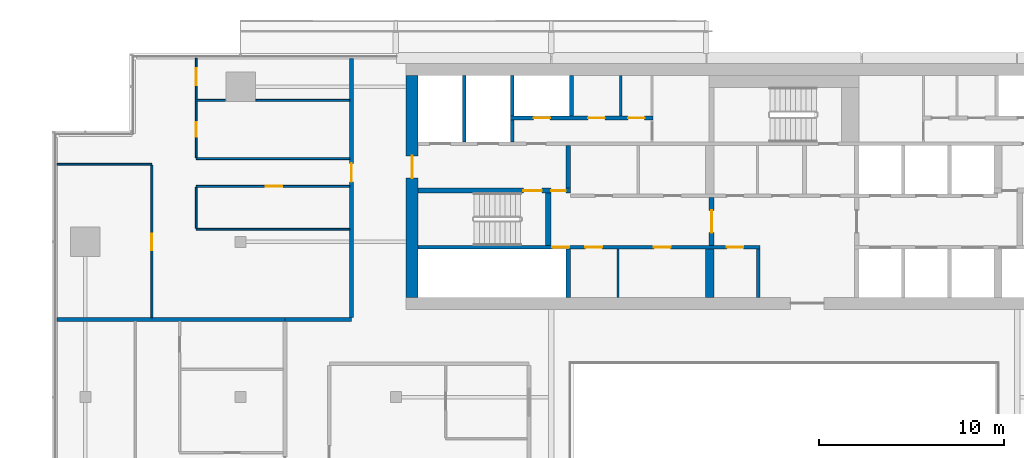
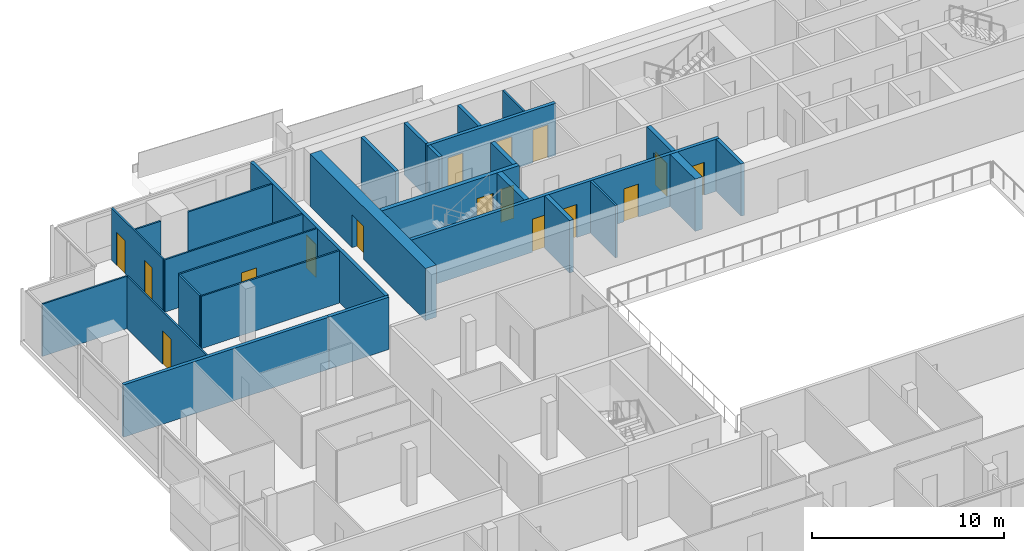
# One storey, part 20 of 27: 28 walls, 16 doors, 16 openings.
"""IFC4 building model written with IfcOpenShell, lengths in metres."""

from ifc_helpers import new_model, si_unit, direction, frame, frame_2d, origin, place, context, subcontext, project, spatial, rectangle, extrude, material, layer, layer_set, type_object, element, fill, save


model = new_model("IFC4")

# Units and contexts
model_context = context("Model", 3, precision=1e-05, world=origin(), true_north=direction((0.0, 1.0)))
body_context = subcontext(model_context, "Body", "Model", "MODEL_VIEW")
ifc_project = project(units=[si_unit("LENGTHUNIT", "METRE"), si_unit("AREAUNIT", "SQUARE_METRE"), si_unit("VOLUMEUNIT", "CUBIC_METRE"), si_unit("PLANEANGLEUNIT", "RADIAN"), si_unit("MASSUNIT", "GRAM", prefix="KILO")], contexts=[model_context])

# Site, building, storey
site_placement = place(None, origin())
site = spatial("IfcSite", under=ifc_project, at=site_placement, CompositionType="ELEMENT")
building_placement = place(site_placement, origin())
building = spatial("IfcBuilding", under=site, at=building_placement, Name="Saffron Gate Tower", CompositionType="ELEMENT")
storey_placement = place(building_placement, frame((0.0, 0.0, 234.300048828125)))
storey = spatial("IfcBuildingStorey", under=building, at=storey_placement, Name="L57", CompositionType="ELEMENT", Elevation=234.300048828125)

# Walls
ifc_material_1 = material(Name="Gypsum board partition on steel studs", Category="steel")
ifc_layer_1 = layer(ifc_material_1, 0.199951171875)
ifc_layer_set_1 = layer_set([ifc_layer_1], Name="CW10 Core partition 200")
wall_type_1 = type_object("IfcWallType", Name="CW10 Core partition 200", PredefinedType="PARTITIONING", material=ifc_layer_set_1)
wall_1_placement = place(storey_placement, frame((86.199951171875, 62.39990234375, 0.0), z_axis=(0.0, 0.0, 1.0), x_axis=(0.0, 1.0, 0.0)))
element("IfcWall", 1, at=wall_1_placement, inside=storey, type_object=wall_type_1, Name="Wall CW10-L57-8", PredefinedType="PARTITIONING", context=body_context, shape_type="SweptSolid", body=[
    extrude(rectangle(XDim=2.60009765625, YDim=0.199951171875, at=frame_2d((1.300048828125, 0.0))), origin(), (0.0, 0.0, 1.0), 3.320068359375),
])
ifc_material_2 = material(Name="Concrete C60", Category="concrete")
ifc_layer_2 = layer(ifc_material_2, 0.25)
ifc_layer_set_2 = layer_set([ifc_layer_2], Name="CW14 RC core wall 250 C60")
wall_type_2 = type_object("IfcWallType", Name="CW14 RC core wall 250 C60", PredefinedType="SOLIDWALL", material=ifc_layer_set_2)
wall_2_placement = place(storey_placement, frame((75.925048828125, 62.39990234375, 0.0), z_axis=(0.0, 0.0, 1.0), x_axis=(0.0, 1.0, 0.0)))
element("IfcWall", 2, at=wall_2_placement, inside=storey, type_object=wall_type_2, Name="Wall CW14-L57-5", PredefinedType="SOLIDWALL", context=body_context, shape_type="SweptSolid", body=[
    extrude(rectangle(XDim=2.60009765625, YDim=0.25, at=frame_2d((1.300048828125, 0.0))), origin(), (0.0, 0.0, 1.0), 3.320068359375),
])

# Wall, opening, door
wall_3_placement = place(storey_placement, frame((83.675048828125, 65.199951171875, 0.0), z_axis=(0.0, 0.0, 1.0), x_axis=(0.0, 1.0, 0.0)))
wall_3 = element("IfcWall", 3, at=wall_3_placement, inside=storey, type_object=wall_type_2, Name="Wall CW14-L57-16", PredefinedType="SOLIDWALL", context=body_context, shape_type="SweptSolid", body=[
    extrude(rectangle(XDim=2.60009765625, YDim=0.25, at=frame_2d((1.300048828125, 0.0))), origin(), (0.0, 0.0, 1.0), 3.320068359375),
])
opening_1_placement = place(wall_3_placement, frame((0.699951171875, 0.0, 0.0)))
opening_1 = element("IfcOpeningElement", 4, at=opening_1_placement, cuts=wall_3, Name="Opening CR-07", PredefinedType="OPENING", context=body_context, shape_type="SweptSolid", body=[
    extrude(rectangle(XDim=1.199951171875, YDim=2.10009765625, at=frame_2d((0.60009765625, 1.050048828125))), frame((0.0, 0.135009765625, 0.0), z_axis=(0.0, -1.0, 0.0), x_axis=(1.0, 0.0, 0.0)), (0.0, 0.0, 1.0), 0.27001953125),
])
ifc_material_3 = material(Name="Steel fire door set", Category="steel")
door_type_1 = type_object("IfcDoorType", Name="CD3 Lobby door 1200x2100 EI 120", OperationType="NOTDEFINED", PredefinedType="DOOR", material=ifc_material_3)
door_1_placement = place(opening_1_placement, origin())
door_1 = element("IfcDoor", 5, at=door_1_placement, inside=storey, type_object=door_type_1, Name="DOOR CR-07", OperationType="SINGLE_SWING_RIGHT", OverallHeight=2.10009765625, OverallWidth=1.199951171875, PredefinedType="DOOR", context=body_context, shape_type="SweptSolid", body=[
    extrude(rectangle(XDim=1.199951171875, YDim=2.10009765625, at=frame_2d((0.60009765625, 1.050048828125))), frame((0.0, 0.02490234375, 0.0), z_axis=(0.0, -1.0, 0.0), x_axis=(1.0, 0.0, 0.0)), (0.0, 0.0, 1.0), 0.050048828125),
])
fill(opening_1, door_1)

# Wall, openings, doors
wall_4_placement = place(storey_placement, frame((67.800048828125, 68.175048828125, 0.0), z_axis=(0.0, 0.0, 1.0), x_axis=(1.0, 0.0, 0.0)))
wall_4 = element("IfcWall", 6, at=wall_4_placement, inside=storey, type_object=wall_type_2, Name="Wall CW14-L57-28", PredefinedType="SOLIDWALL", context=body_context, shape_type="SweptSolid", body=[
    extrude(rectangle(XDim=8.25, YDim=0.25, at=frame_2d((4.125, 0.0))), origin(), (0.0, 0.0, 1.0), 3.320068359375),
])
opening_2_placement = place(wall_4_placement, frame((5.699951171875, 0.0, 0.0)))
opening_2 = element("IfcOpeningElement", 7, at=opening_2_placement, cuts=wall_4, Name="Opening CR-15", PredefinedType="OPENING", context=body_context, shape_type="SweptSolid", body=[
    extrude(rectangle(XDim=1.0, YDim=2.10009765625, at=frame_2d((0.5, 1.050048828125))), frame((0.0, 0.135009765625, 0.0), z_axis=(0.0, -1.0, 0.0), x_axis=(1.0, 0.0, 0.0)), (0.0, 0.0, 1.0), 0.27001953125),
])
opening_3_placement = place(wall_4_placement, frame((7.199951171875, 0.0, 0.0)))
opening_3 = element("IfcOpeningElement", 8, at=opening_3_placement, cuts=wall_4, Name="Opening CR-06", PredefinedType="OPENING", context=body_context, shape_type="SweptSolid", body=[
    extrude(rectangle(XDim=0.800048828125, YDim=2.10009765625, at=frame_2d((0.39990234375, 1.050048828125))), frame((0.0, 0.135009765625, 0.0), z_axis=(0.0, -1.0, 0.0), x_axis=(1.0, 0.0, 0.0)), (0.0, 0.0, 1.0), 0.27001953125),
])
door_type_2 = type_object("IfcDoorType", Name="CD5 Stair door 1000x2100 EI 120", OperationType="NOTDEFINED", PredefinedType="DOOR", material=ifc_material_3)
door_2_placement = place(opening_2_placement, origin())
door_2 = element("IfcDoor", 9, at=door_2_placement, inside=storey, type_object=door_type_2, Name="DOOR CR-15", OperationType="SINGLE_SWING_RIGHT", OverallHeight=2.10009765625, OverallWidth=1.0, PredefinedType="DOOR", context=body_context, shape_type="SweptSolid", body=[
    extrude(rectangle(XDim=1.0, YDim=2.10009765625, at=frame_2d((0.5, 1.050048828125))), frame((0.0, 0.02490234375, 0.0), z_axis=(0.0, -1.0, 0.0), x_axis=(1.0, 0.0, 0.0)), (0.0, 0.0, 1.0), 0.050048828125),
])
fill(opening_2, door_2)
door_type_3 = type_object("IfcDoorType", Name="CD6 Lobby door 800x2100 EI 120", OperationType="NOTDEFINED", PredefinedType="DOOR", material=ifc_material_3)
door_3_placement = place(opening_3_placement, origin())
door_3 = element("IfcDoor", 10, at=door_3_placement, inside=storey, type_object=door_type_3, Name="DOOR CR-06", OperationType="SINGLE_SWING_LEFT", OverallHeight=2.10009765625, OverallWidth=0.800048828125, PredefinedType="DOOR", context=body_context, shape_type="SweptSolid", body=[
    extrude(rectangle(XDim=0.800048828125, YDim=2.10009765625, at=frame_2d((0.39990234375, 1.050048828125))), frame((0.0, 0.02490234375, 0.0), z_axis=(0.0, -1.0, 0.0), x_axis=(1.0, 0.0, 0.0)), (0.0, 0.0, 1.0), 0.050048828125),
])
fill(opening_3, door_3)

# Wall
wall_5_placement = place(storey_placement, frame((75.925048828125, 68.300048828125, 0.0), z_axis=(0.0, 0.0, 1.0), x_axis=(0.0, 1.0, 0.0)))
element("IfcWall", 11, at=wall_5_placement, inside=storey, type_object=wall_type_2, Name="Wall CW14-L57-30", PredefinedType="SOLIDWALL", context=body_context, shape_type="SweptSolid", body=[
    extrude(rectangle(XDim=2.300048828125, YDim=0.25, at=frame_2d((1.14990234375, 0.0))), origin(), (0.0, 0.0, 1.0), 3.320068359375),
])

# Wall, openings, doors
ifc_layer_3 = layer(ifc_material_2, 0.199951171875)
ifc_layer_set_3 = layer_set([ifc_layer_3], Name="CW15 RC core wall 200 C60")
wall_type_3 = type_object("IfcWallType", Name="CW15 RC core wall 200 C60", PredefinedType="SOLIDWALL", material=ifc_layer_set_3)
wall_6_placement = place(storey_placement, frame((67.800048828125, 65.10009765625, 0.0), z_axis=(0.0, 0.0, 1.0), x_axis=(1.0, 0.0, 0.0)))
wall_6 = element("IfcWall", 12, at=wall_6_placement, inside=storey, type_object=wall_type_3, Name="Wall CW15-L57-13", PredefinedType="SOLIDWALL", context=body_context, shape_type="SweptSolid", body=[
    extrude(rectangle(XDim=18.5, YDim=0.199951171875, at=frame_2d((9.25, 0.0))), origin(), (0.0, 0.0, 1.0), 3.320068359375),
])
opening_4_placement = place(wall_6_placement, frame((7.27001953125, 0.0, 0.0)))
opening_4 = element("IfcOpeningElement", 13, at=opening_4_placement, cuts=wall_6, Name="Opening CR-49", PredefinedType="OPENING", context=body_context, shape_type="SweptSolid", body=[
    extrude(rectangle(XDim=0.89990234375, YDim=2.10009765625, at=frame_2d((0.449951171875, 1.050048828125))), frame((0.0, 0.10986328125, 0.0), z_axis=(0.0, -1.0, 0.0), x_axis=(1.0, 0.0, 0.0)), (0.0, 0.0, 1.0), 0.219970703125),
])
opening_5_placement = place(wall_6_placement, frame((9.050048828125, 0.0, 0.0)))
opening_5 = element("IfcOpeningElement", 14, at=opening_5_placement, cuts=wall_6, Name="Opening CR-64", PredefinedType="OPENING", context=body_context, shape_type="SweptSolid", body=[
    extrude(rectangle(XDim=0.89990234375, YDim=2.10009765625, at=frame_2d((0.449951171875, 1.050048828125))), frame((0.0, 0.10986328125, 0.0), z_axis=(0.0, -1.0, 0.0), x_axis=(1.0, 0.0, 0.0)), (0.0, 0.0, 1.0), 0.219970703125),
])
opening_6_placement = place(wall_6_placement, frame((12.760009765625, 0.0, 0.0)))
opening_6 = element("IfcOpeningElement", 15, at=opening_6_placement, cuts=wall_6, Name="Opening CR-65", PredefinedType="OPENING", context=body_context, shape_type="SweptSolid", body=[
    extrude(rectangle(XDim=0.89990234375, YDim=2.10009765625, at=frame_2d((0.449951171875, 1.050048828125))), frame((0.0, 0.10986328125, 0.0), z_axis=(0.0, -1.0, 0.0), x_axis=(1.0, 0.0, 0.0)), (0.0, 0.0, 1.0), 0.219970703125),
])
opening_7_placement = place(wall_6_placement, frame((16.699951171875, 0.0, 0.0)))
opening_7 = element("IfcOpeningElement", 16, at=opening_7_placement, cuts=wall_6, Name="Opening CR-69", PredefinedType="OPENING", context=body_context, shape_type="SweptSolid", body=[
    extrude(rectangle(XDim=0.89990234375, YDim=2.10009765625, at=frame_2d((0.449951171875, 1.050048828125))), frame((0.0, 0.10986328125, 0.0), z_axis=(0.0, -1.0, 0.0), x_axis=(1.0, 0.0, 0.0)), (0.0, 0.0, 1.0), 0.219970703125),
])
door_type_4 = type_object("IfcDoorType", Name="CD2 Riser door 900x2100 EI 60", OperationType="NOTDEFINED", PredefinedType="DOOR", material=ifc_material_3)
door_4_placement = place(opening_4_placement, origin())
door_4 = element("IfcDoor", 17, at=door_4_placement, inside=storey, type_object=door_type_4, Name="DOOR CR-49", OperationType="SINGLE_SWING_LEFT", OverallHeight=2.10009765625, OverallWidth=0.89990234375, PredefinedType="DOOR", context=body_context, shape_type="SweptSolid", body=[
    extrude(rectangle(XDim=0.89990234375, YDim=2.10009765625, at=frame_2d((0.449951171875, 1.050048828125))), frame((0.0, 0.02490234375, 0.0), z_axis=(0.0, -1.0, 0.0), x_axis=(1.0, 0.0, 0.0)), (0.0, 0.0, 1.0), 0.050048828125),
])
fill(opening_4, door_4)
door_type_5 = type_object("IfcDoorType", Name="CD9 Room door 900x2100 EI 60", OperationType="NOTDEFINED", PredefinedType="DOOR", material=ifc_material_3)
door_5_placement = place(opening_5_placement, origin())
door_5 = element("IfcDoor", 18, at=door_5_placement, inside=storey, type_object=door_type_5, Name="DOOR CR-64", OperationType="SINGLE_SWING_RIGHT", OverallHeight=2.10009765625, OverallWidth=0.89990234375, PredefinedType="DOOR", context=body_context, shape_type="SweptSolid", body=[
    extrude(rectangle(XDim=0.89990234375, YDim=2.10009765625, at=frame_2d((0.449951171875, 1.050048828125))), frame((0.0, 0.02490234375, 0.0), z_axis=(0.0, -1.0, 0.0), x_axis=(1.0, 0.0, 0.0)), (0.0, 0.0, 1.0), 0.050048828125),
])
fill(opening_5, door_5)
door_6_placement = place(opening_6_placement, origin())
door_6 = element("IfcDoor", 19, at=door_6_placement, inside=storey, type_object=door_type_5, Name="DOOR CR-65", OperationType="SINGLE_SWING_RIGHT", OverallHeight=2.10009765625, OverallWidth=0.89990234375, PredefinedType="DOOR", context=body_context, shape_type="SweptSolid", body=[
    extrude(rectangle(XDim=0.89990234375, YDim=2.10009765625, at=frame_2d((0.449951171875, 1.050048828125))), frame((0.0, 0.02490234375, 0.0), z_axis=(0.0, -1.0, 0.0), x_axis=(1.0, 0.0, 0.0)), (0.0, 0.0, 1.0), 0.050048828125),
])
fill(opening_6, door_6)
door_7_placement = place(opening_7_placement, origin())
door_7 = element("IfcDoor", 20, at=door_7_placement, inside=storey, type_object=door_type_5, Name="DOOR CR-69", OperationType="SINGLE_SWING_RIGHT", OverallHeight=2.10009765625, OverallWidth=0.89990234375, PredefinedType="DOOR", context=body_context, shape_type="SweptSolid", body=[
    extrude(rectangle(XDim=0.89990234375, YDim=2.10009765625, at=frame_2d((0.449951171875, 1.050048828125))), frame((0.0, 0.02490234375, 0.0), z_axis=(0.0, -1.0, 0.0), x_axis=(1.0, 0.0, 0.0)), (0.0, 0.0, 1.0), 0.050048828125),
])
fill(opening_7, door_7)

# Walls
wall_7_placement = place(storey_placement, frame((70.300048828125, 70.800048828125, 0.0), z_axis=(0.0, 0.0, 1.0), x_axis=(0.0, 1.0, 0.0)))
element("IfcWall", 21, at=wall_7_placement, inside=storey, type_object=wall_type_3, Name="Wall CW15-L57-33", PredefinedType="SOLIDWALL", context=body_context, shape_type="SweptSolid", body=[
    extrude(rectangle(XDim=3.599853515625, YDim=0.199951171875, at=frame_2d((1.7998046875, 0.0))), origin(), (0.0, 0.0, 1.0), 3.320068359375),
])
wall_8_placement = place(storey_placement, frame((72.89990234375, 70.800048828125, 0.0), z_axis=(0.0, 0.0, 1.0), x_axis=(0.0, 1.0, 0.0)))
element("IfcWall", 22, at=wall_8_placement, inside=storey, type_object=wall_type_3, Name="Wall CW15-L57-34", PredefinedType="SOLIDWALL", context=body_context, shape_type="SweptSolid", body=[
    extrude(rectangle(XDim=1.199951171875, YDim=0.199951171875, at=frame_2d((0.60009765625, 0.0))), origin(), (0.0, 0.0, 1.0), 3.320068359375),
])

# Wall, openings, doors
wall_9_placement = place(storey_placement, frame((72.800048828125, 72.10009765625, 0.0), z_axis=(0.0, 0.0, 1.0), x_axis=(1.0, 0.0, 0.0)))
wall_9 = element("IfcWall", 23, at=wall_9_placement, inside=storey, type_object=wall_type_3, Name="Wall CW15-L57-41", PredefinedType="SOLIDWALL", context=body_context, shape_type="SweptSolid", body=[
    extrude(rectangle(XDim=7.719970703125, YDim=0.199951171875, at=frame_2d((3.85986328125, 0.0))), origin(), (0.0, 0.0, 1.0), 3.320068359375),
])
opening_8_placement = place(wall_9_placement, frame((1.25, 0.0, 0.0)))
opening_8 = element("IfcOpeningElement", 24, at=opening_8_placement, cuts=wall_9, Name="Opening CR-71", PredefinedType="OPENING", context=body_context, shape_type="SweptSolid", body=[
    extrude(rectangle(XDim=0.89990234375, YDim=2.10009765625, at=frame_2d((0.449951171875, 1.050048828125))), frame((0.0, 0.10986328125, 0.0), z_axis=(0.0, -1.0, 0.0), x_axis=(1.0, 0.0, 0.0)), (0.0, 0.0, 1.0), 0.219970703125),
])
opening_9_placement = place(wall_9_placement, frame((4.199951171875, 0.0, 0.0)))
opening_9 = element("IfcOpeningElement", 25, at=opening_9_placement, cuts=wall_9, Name="Opening CR-55", PredefinedType="OPENING", context=body_context, shape_type="SweptSolid", body=[
    extrude(rectangle(XDim=0.89990234375, YDim=2.10009765625, at=frame_2d((0.449951171875, 1.050048828125))), frame((0.0, 0.10986328125, 0.0), z_axis=(0.0, -1.0, 0.0), x_axis=(1.0, 0.0, 0.0)), (0.0, 0.0, 1.0), 0.219970703125),
])
opening_10_placement = place(wall_9_placement, frame((6.360107421875, 0.0, 0.0)))
opening_10 = element("IfcOpeningElement", 26, at=opening_10_placement, cuts=wall_9, Name="Opening CR-58", PredefinedType="OPENING", context=body_context, shape_type="SweptSolid", body=[
    extrude(rectangle(XDim=0.89990234375, YDim=2.10009765625, at=frame_2d((0.449951171875, 1.050048828125))), frame((0.0, 0.10986328125, 0.0), z_axis=(0.0, -1.0, 0.0), x_axis=(1.0, 0.0, 0.0)), (0.0, 0.0, 1.0), 0.219970703125),
])
door_8_placement = place(opening_8_placement, origin())
door_8 = element("IfcDoor", 27, at=door_8_placement, inside=storey, type_object=door_type_4, Name="DOOR CR-71", OperationType="SINGLE_SWING_LEFT", OverallHeight=2.10009765625, OverallWidth=0.89990234375, PredefinedType="DOOR", context=body_context, shape_type="SweptSolid", body=[
    extrude(rectangle(XDim=0.89990234375, YDim=2.10009765625, at=frame_2d((0.449951171875, 1.050048828125))), frame((0.0, 0.02490234375, 0.0), z_axis=(0.0, -1.0, 0.0), x_axis=(1.0, 0.0, 0.0)), (0.0, 0.0, 1.0), 0.050048828125),
])
fill(opening_8, door_8)
door_9_placement = place(opening_9_placement, origin())
door_9 = element("IfcDoor", 28, at=door_9_placement, inside=storey, type_object=door_type_5, Name="DOOR CR-55", OperationType="SINGLE_SWING_LEFT", OverallHeight=2.10009765625, OverallWidth=0.89990234375, PredefinedType="DOOR", context=body_context, shape_type="SweptSolid", body=[
    extrude(rectangle(XDim=0.89990234375, YDim=2.10009765625, at=frame_2d((0.449951171875, 1.050048828125))), frame((0.0, 0.02490234375, 0.0), z_axis=(0.0, -1.0, 0.0), x_axis=(1.0, 0.0, 0.0)), (0.0, 0.0, 1.0), 0.050048828125),
])
fill(opening_9, door_9)
door_10_placement = place(opening_10_placement, origin())
door_10 = element("IfcDoor", 29, at=door_10_placement, inside=storey, type_object=door_type_5, Name="DOOR CR-58", OperationType="SINGLE_SWING_LEFT", OverallHeight=2.10009765625, OverallWidth=0.89990234375, PredefinedType="DOOR", context=body_context, shape_type="SweptSolid", body=[
    extrude(rectangle(XDim=0.89990234375, YDim=2.10009765625, at=frame_2d((0.449951171875, 1.050048828125))), frame((0.0, 0.02490234375, 0.0), z_axis=(0.0, -1.0, 0.0), x_axis=(1.0, 0.0, 0.0)), (0.0, 0.0, 1.0), 0.050048828125),
])
fill(opening_10, door_10)

# Walls
for number, where, z_axis, x_axis, name in (
    (30, (72.89990234375, 72.199951171875, 0.0), (0.0, 0.0, 1.0), (0.0, 1.0, 0.0), "Wall CW15-L57-43"),
    (31, (76.10009765625, 72.199951171875, 0.0), (0.0, 0.0, 1.0), (0.0, 1.0, 0.0), "Wall CW15-L57-44"),
):
    element("IfcWall", number, at=place(storey_placement, frame(where, z_axis=z_axis, x_axis=x_axis)), inside=storey, type_object=wall_type_3, Name=name, PredefinedType="SOLIDWALL", context=body_context, shape_type="SweptSolid", body=[
        extrude(rectangle(XDim=2.199951171875, YDim=0.199951171875, at=frame_2d((1.10009765625, 0.0))), origin(), (0.0, 0.0, 1.0), 3.320068359375),
    ])
ifc_layer_4 = layer(ifc_material_2, 0.449951171875)
ifc_layer_set_4 = layer_set([ifc_layer_4], Name="CW16 RC core wall 450 C60")
wall_type_4 = type_object("IfcWallType", Name="CW16 RC core wall 450 C60", PredefinedType="SOLIDWALL", material=ifc_layer_set_4)
wall_10_placement = place(storey_placement, frame((83.574951171875, 62.39990234375, 0.0), z_axis=(0.0, 0.0, 1.0), x_axis=(0.0, 1.0, 0.0)))
element("IfcWall", 32, at=wall_10_placement, inside=storey, type_object=wall_type_4, Name="Wall CW16-L57-7", PredefinedType="SOLIDWALL", context=body_context, shape_type="SweptSolid", body=[
    extrude(rectangle(XDim=2.60009765625, YDim=0.449951171875, at=frame_2d((1.300048828125, 0.0))), origin(), (0.0, 0.0, 1.0), 3.320068359375),
])
ifc_layer_5 = layer(ifc_material_2, 0.300048828125)
ifc_layer_set_5 = layer_set([ifc_layer_5], Name="CW17 RC core wall 300 C60")
wall_type_5 = type_object("IfcWallType", Name="CW17 RC core wall 300 C60", PredefinedType="SOLIDWALL", material=ifc_layer_set_5)
wall_11_placement = place(storey_placement, frame((74.85009765625, 65.199951171875, 0.0), z_axis=(0.0, 0.0, 1.0), x_axis=(0.0, 1.0, 0.0)))
element("IfcWall", 33, at=wall_11_placement, inside=storey, type_object=wall_type_5, Name="Wall CW17-L57-15", PredefinedType="SOLIDWALL", context=body_context, shape_type="SweptSolid", body=[
    extrude(rectangle(XDim=2.85009765625, YDim=0.300048828125, at=frame_2d((1.425048828125, 0.0))), origin(), (0.0, 0.0, 1.0), 3.320068359375),
])

# Wall, opening, door
ifc_layer_6 = layer(ifc_material_2, 0.64990234375)
ifc_layer_set_6 = layer_set([ifc_layer_6], Name="CW20 RC core wall 650 C60")
wall_type_6 = type_object("IfcWallType", Name="CW20 RC core wall 650 C60", PredefinedType="SOLIDWALL", material=ifc_layer_set_6)
wall_12_placement = place(storey_placement, frame((67.47509765625, 62.39990234375, 0.0), z_axis=(0.0, 0.0, 1.0), x_axis=(0.0, 1.0, 0.0)))
wall_12 = element("IfcWall", 34, at=wall_12_placement, inside=storey, type_object=wall_type_6, Name="Wall CW20-L57-3", PredefinedType="SOLIDWALL", context=body_context, shape_type="SweptSolid", body=[
    extrude(rectangle(XDim=12.0, YDim=0.64990234375, at=frame_2d((6.0, 0.0))), origin(), (0.0, 0.0, 1.0), 3.320068359375),
])
opening_11_placement = place(wall_12_placement, frame((6.449951171875, 0.0, 0.0)))
opening_11 = element("IfcOpeningElement", 35, at=opening_11_placement, cuts=wall_12, Name="Opening CR-10", PredefinedType="OPENING", context=body_context, shape_type="SweptSolid", body=[
    extrude(rectangle(XDim=1.199951171875, YDim=2.10009765625, at=frame_2d((0.60009765625, 1.050048828125))), frame((0.0, 0.3349609375, 0.0), z_axis=(0.0, -1.0, 0.0), x_axis=(1.0, 0.0, 0.0)), (0.0, 0.0, 1.0), 0.669921875),
])
door_type_6 = type_object("IfcDoorType", Name="CD7 Core entrance door 1200x2100 EI 120", OperationType="NOTDEFINED", PredefinedType="DOOR", material=ifc_material_3)
door_11_placement = place(opening_11_placement, origin())
door_11 = element("IfcDoor", 36, at=door_11_placement, inside=storey, type_object=door_type_6, Name="DOOR CR-10", OperationType="SINGLE_SWING_LEFT", OverallHeight=2.10009765625, OverallWidth=1.199951171875, PredefinedType="DOOR", context=body_context, shape_type="SweptSolid", body=[
    extrude(rectangle(XDim=1.199951171875, YDim=2.10009765625, at=frame_2d((0.60009765625, 1.050048828125))), frame((0.0, 0.02490234375, 0.0), z_axis=(0.0, -1.0, 0.0), x_axis=(1.0, 0.0, 0.0)), (0.0, 0.0, 1.0), 0.050048828125),
])
fill(opening_11, door_11)

# Walls
ifc_layer_7 = layer(ifc_material_1, 0.1201171875)
ifc_layer_set_7 = layer_set([ifc_layer_7], Name="CW8 Core partition 120")
wall_type_7 = type_object("IfcWallType", Name="CW8 Core partition 120", PredefinedType="PARTITIONING", material=ifc_layer_set_7)
wall_13_placement = place(storey_placement, frame((78.610107421875, 62.39990234375, 0.0), z_axis=(0.0, 0.0, 1.0), x_axis=(0.0, 1.0, 0.0)))
element("IfcWall", 37, at=wall_13_placement, inside=storey, type_object=wall_type_7, Name="Wall CW8-L57-6", PredefinedType="PARTITIONING", context=body_context, shape_type="SweptSolid", body=[
    extrude(rectangle(XDim=2.60009765625, YDim=0.1201171875, at=frame_2d((1.300048828125, 0.0))), origin(), (0.0, 0.0, 1.0), 3.320068359375),
])
wall_14_placement = place(storey_placement, frame((78.760009765625, 72.199951171875, 0.0), z_axis=(0.0, 0.0, 1.0), x_axis=(0.0, 1.0, 0.0)))
element("IfcWall", 38, at=wall_14_placement, inside=storey, type_object=wall_type_7, Name="Wall CW8-L57-45", PredefinedType="PARTITIONING", context=body_context, shape_type="SweptSolid", body=[
    extrude(rectangle(XDim=2.199951171875, YDim=0.1201171875, at=frame_2d((1.10009765625, 0.0))), origin(), (0.0, 0.0, 1.0), 3.320068359375),
])
ifc_material_4 = material(Name="Plasterboard on steel studs", Category="steel")
ifc_layer_8 = layer(ifc_material_4, 0.10009765625)
ifc_layer_set_8 = layer_set([ifc_layer_8], Name="PW1 Partition 100")
wall_type_8 = type_object("IfcWallType", Name="PW1 Partition 100", PredefinedType="PARTITIONING", material=ifc_layer_set_8)
wall_15_placement = place(storey_placement, frame((55.800048828125, 66.0810546875, 0.0), z_axis=(0.0, 0.0, 1.0), x_axis=(1.0, 0.0, 0.0)))
element("IfcWall", 39, at=wall_15_placement, inside=storey, type_object=wall_type_8, Name="Partition D3-45", PredefinedType="PARTITIONING", context=body_context, shape_type="SweptSolid", body=[
    extrude(rectangle(XDim=8.300048828125, YDim=0.10009765625, at=frame_2d((4.14990234375, 0.0))), origin(), (0.0, 0.0, 1.0), 3.320068359375),
])

# Wall, opening, door
wall_16_placement = place(storey_placement, frame((64.10009765625, 68.39990234375, 0.0), z_axis=(0.0, 0.0, 1.0), x_axis=(-1.0, 0.0, 0.0)))
wall_16 = element("IfcWall", 40, at=wall_16_placement, inside=storey, type_object=wall_type_8, Name="Partition D3-47", PredefinedType="PARTITIONING", context=body_context, shape_type="SweptSolid", body=[
    extrude(rectangle(XDim=8.300048828125, YDim=0.10009765625, at=frame_2d((4.14990234375, 0.0))), origin(), (0.0, 0.0, 1.0), 3.320068359375),
])
opening_12_placement = place(wall_16_placement, frame((3.64990234375, 0.0, 0.0)))
opening_12 = element("IfcOpeningElement", 41, at=opening_12_placement, cuts=wall_16, Name="Opening D3-29", PredefinedType="OPENING", context=body_context, shape_type="SweptSolid", body=[
    extrude(rectangle(XDim=0.89990234375, YDim=2.10009765625, at=frame_2d((0.449951171875, 1.050048828125))), frame((0.0, 0.06005859375, 0.0), z_axis=(0.0, -1.0, 0.0), x_axis=(1.0, 0.0, 0.0)), (0.0, 0.0, 1.0), 0.1201171875),
])
ifc_material_5 = material(Name="Timber door set", Category="wood")
door_type_7 = type_object("IfcDoorType", Name="RD1 Room door 900x2100", OperationType="NOTDEFINED", PredefinedType="DOOR", material=ifc_material_5)
door_12_placement = place(opening_12_placement, origin())
door_12 = element("IfcDoor", 42, at=door_12_placement, inside=storey, type_object=door_type_7, Name="Door D3-29", OperationType="SINGLE_SWING_LEFT", OverallHeight=2.10009765625, OverallWidth=0.89990234375, PredefinedType="DOOR", context=body_context, shape_type="SweptSolid", body=[
    extrude(rectangle(XDim=0.89990234375, YDim=2.10009765625, at=frame_2d((0.449951171875, 1.050048828125))), frame((0.0, 0.02490234375, 0.0), z_axis=(0.0, -1.0, 0.0), x_axis=(1.0, 0.0, 0.0)), (0.0, 0.0, 1.0), 0.050048828125),
])
fill(opening_12, door_12)

# Walls
wall_17_placement = place(storey_placement, frame((48.280029296875, 69.60009765625, 0.0), z_axis=(0.0, 0.0, 1.0), x_axis=(1.0, 0.0, 0.0)))
element("IfcWall", 43, at=wall_17_placement, inside=storey, type_object=wall_type_8, Name="Partition D3-48", PredefinedType="PARTITIONING", context=body_context, shape_type="SweptSolid", body=[
    extrude(rectangle(XDim=5.119873046875, YDim=0.10009765625, at=frame_2d((2.56005859375, 0.0))), origin(), (0.0, 0.0, 1.0), 3.320068359375),
])
wall_18_placement = place(storey_placement, frame((55.800048828125, 69.89990234375, 0.0), z_axis=(0.0, 0.0, 1.0), x_axis=(1.0, 0.0, 0.0)))
element("IfcWall", 44, at=wall_18_placement, inside=storey, type_object=wall_type_8, Name="Partition D3-50", PredefinedType="PARTITIONING", context=body_context, shape_type="SweptSolid", body=[
    extrude(rectangle(XDim=8.300048828125, YDim=0.10009765625, at=frame_2d((4.14990234375, 0.0))), origin(), (0.0, 0.0, 1.0), 3.320068359375),
])
wall_19_placement = place(storey_placement, frame((55.85009765625, 73.0546875, 0.0), z_axis=(0.0, 0.0, 1.0), x_axis=(1.0, 0.0, 0.0)))
element("IfcWall", 45, at=wall_19_placement, inside=storey, type_object=wall_type_8, Name="Partition D3-51", PredefinedType="PARTITIONING", context=body_context, shape_type="SweptSolid", body=[
    extrude(rectangle(XDim=1.52978515625, YDim=0.10009765625, at=frame_2d((0.764892578125, 0.0))), origin(), (0.0, 0.0, 1.0), 3.320068359375),
])
wall_20_placement = place(storey_placement, frame((59.02001953125, 73.0546875, 0.0), z_axis=(0.0, 0.0, 1.0), x_axis=(1.0, 0.0, 0.0)))
element("IfcWall", 46, at=wall_20_placement, inside=storey, type_object=wall_type_8, Name="Partition D3-52", PredefinedType="PARTITIONING", context=body_context, shape_type="SweptSolid", body=[
    extrude(rectangle(XDim=5.080078125, YDim=0.10009765625, at=frame_2d((2.5400390625, 0.0))), origin(), (0.0, 0.0, 1.0), 3.320068359375),
])

# Wall, opening, door
wall_21_placement = place(storey_placement, frame((53.39990234375, 61.300048828125, 0.0), z_axis=(0.0, 0.0, 1.0), x_axis=(0.0, 1.0, 0.0)))
wall_21 = element("IfcWall", 47, at=wall_21_placement, inside=storey, type_object=wall_type_8, Name="Partition D3-58", PredefinedType="PARTITIONING", context=body_context, shape_type="SweptSolid", body=[
    extrude(rectangle(XDim=8.25, YDim=0.10009765625, at=frame_2d((4.125, 0.0))), origin(), (0.0, 0.0, 1.0), 3.320068359375),
])
opening_13_placement = place(wall_21_placement, frame((3.64990234375, 0.0, 0.0)))
opening_13 = element("IfcOpeningElement", 48, at=opening_13_placement, cuts=wall_21, Name="Opening D3-28", PredefinedType="OPENING", context=body_context, shape_type="SweptSolid", body=[
    extrude(rectangle(XDim=0.89990234375, YDim=2.10009765625, at=frame_2d((0.449951171875, 1.050048828125))), frame((0.0, 0.06005859375, 0.0), z_axis=(0.0, -1.0, 0.0), x_axis=(1.0, 0.0, 0.0)), (0.0, 0.0, 1.0), 0.1201171875),
])
door_13_placement = place(opening_13_placement, origin())
door_13 = element("IfcDoor", 49, at=door_13_placement, inside=storey, type_object=door_type_7, Name="Door D3-28", OperationType="SINGLE_SWING_LEFT", OverallHeight=2.10009765625, OverallWidth=0.89990234375, PredefinedType="DOOR", context=body_context, shape_type="SweptSolid", body=[
    extrude(rectangle(XDim=0.89990234375, YDim=2.10009765625, at=frame_2d((0.449951171875, 1.050048828125))), frame((0.0, 0.02490234375, 0.0), z_axis=(0.0, -1.0, 0.0), x_axis=(1.0, 0.0, 0.0)), (0.0, 0.0, 1.0), 0.050048828125),
])
fill(opening_13, door_13)

# Wall
wall_22_placement = place(storey_placement, frame((55.800048828125, 68.35009765625, 0.0), z_axis=(0.0, 0.0, 1.0), x_axis=(0.0, -1.0, 0.0)))
element("IfcWall", 50, at=wall_22_placement, inside=storey, type_object=wall_type_8, Name="Partition D3-62", PredefinedType="PARTITIONING", context=body_context, shape_type="SweptSolid", body=[
    extrude(rectangle(XDim=2.218994140625, YDim=0.10009765625, at=frame_2d((1.109375, 0.0))), origin(), (0.0, 0.0, 1.0), 3.320068359375),
])

# Wall, openings, doors
wall_23_placement = place(storey_placement, frame((55.800048828125, 75.320068359375, 0.0), z_axis=(0.0, 0.0, 1.0), x_axis=(0.0, -1.0, 0.0)))
wall_23 = element("IfcWall", 51, at=wall_23_placement, inside=storey, type_object=wall_type_8, Name="Partition D3-63", PredefinedType="PARTITIONING", context=body_context, shape_type="SweptSolid", body=[
    extrude(rectangle(XDim=5.3701171875, YDim=0.10009765625, at=frame_2d((2.68505859375, 0.0))), origin(), (0.0, 0.0, 1.0), 3.320068359375),
])
opening_14_placement = place(wall_23_placement, frame((0.54248046875, 0.0, 0.0)))
opening_14 = element("IfcOpeningElement", 52, at=opening_14_placement, cuts=wall_23, Name="Opening D3-30", PredefinedType="OPENING", context=body_context, shape_type="SweptSolid", body=[
    extrude(rectangle(XDim=0.89990234375, YDim=2.10009765625, at=frame_2d((0.449951171875, 1.050048828125))), frame((0.0, 0.06005859375, 0.0), z_axis=(0.0, -1.0, 0.0), x_axis=(1.0, 0.0, 0.0)), (0.0, 0.0, 1.0), 0.1201171875),
])
opening_15_placement = place(wall_23_placement, frame((3.442626953125, 0.0, 0.0)))
opening_15 = element("IfcOpeningElement", 53, at=opening_15_placement, cuts=wall_23, Name="Opening D3-47", PredefinedType="OPENING", context=body_context, shape_type="SweptSolid", body=[
    extrude(rectangle(XDim=0.800048828125, YDim=2.10009765625, at=frame_2d((0.39990234375, 1.050048828125))), frame((0.0, 0.06005859375, 0.0), z_axis=(0.0, -1.0, 0.0), x_axis=(1.0, 0.0, 0.0)), (0.0, 0.0, 1.0), 0.1201171875),
])
door_14_placement = place(opening_14_placement, origin())
door_14 = element("IfcDoor", 54, at=door_14_placement, inside=storey, type_object=door_type_7, Name="Door D3-30", OperationType="SINGLE_SWING_LEFT", OverallHeight=2.10009765625, OverallWidth=0.89990234375, PredefinedType="DOOR", context=body_context, shape_type="SweptSolid", body=[
    extrude(rectangle(XDim=0.89990234375, YDim=2.10009765625, at=frame_2d((0.449951171875, 1.050048828125))), frame((0.0, 0.02490234375, 0.0), z_axis=(0.0, -1.0, 0.0), x_axis=(1.0, 0.0, 0.0)), (0.0, 0.0, 1.0), 0.050048828125),
])
fill(opening_14, door_14)
door_type_8 = type_object("IfcDoorType", Name="RD2 Bathroom door 800x2100", OperationType="NOTDEFINED", PredefinedType="DOOR", material=ifc_material_5)
door_15_placement = place(opening_15_placement, origin())
door_15 = element("IfcDoor", 55, at=door_15_placement, inside=storey, type_object=door_type_8, Name="Door D3-47", OperationType="SINGLE_SWING_RIGHT", OverallHeight=2.10009765625, OverallWidth=0.800048828125, PredefinedType="DOOR", context=body_context, shape_type="SweptSolid", body=[
    extrude(rectangle(XDim=0.800048828125, YDim=2.10009765625, at=frame_2d((0.39990234375, 1.050048828125))), frame((0.0, 0.02490234375, 0.0), z_axis=(0.0, -1.0, 0.0), x_axis=(1.0, 0.0, 0.0)), (0.0, 0.0, 1.0), 0.050048828125),
])
fill(opening_15, door_15)

# Walls
ifc_material_6 = material(Name="Clay brick masonry, rendered", Category="masonry")
ifc_layer_9 = layer(ifc_material_6, 0.199951171875)
ifc_layer_set_9 = layer_set([ifc_layer_9], Name="PW2 Demising wall 200")
wall_type_9 = type_object("IfcWallType", Name="PW2 Demising wall 200", PredefinedType="PARTITIONING", material=ifc_layer_set_9)
wall_24_placement = place(storey_placement, frame((48.280029296875, 61.199951171875, 0.0), z_axis=(0.0, 0.0, 1.0), x_axis=(1.0, 0.0, 0.0)))
element("IfcWall", 56, at=wall_24_placement, inside=storey, type_object=wall_type_9, Name="Wall D3-40", PredefinedType="PARTITIONING", context=body_context, shape_type="SweptSolid", body=[
    extrude(rectangle(XDim=12.320068359375, YDim=0.199951171875, at=frame_2d((6.16015625, 0.0))), origin(), (0.0, 0.0, 1.0), 3.320068359375),
])
ifc_layer_10 = layer(ifc_material_6, 0.199951171875)
ifc_layer_set_10 = layer_set([ifc_layer_10], Name="PW3 Corridor wall 200")
wall_type_10 = type_object("IfcWallType", Name="PW3 Corridor wall 200", PredefinedType="PARTITIONING", material=ifc_layer_set_10)
wall_25_placement = place(storey_placement, frame((60.60009765625, 61.199951171875, 0.0), z_axis=(0.0, 0.0, 1.0), x_axis=(1.0, 0.0, 0.0)))
element("IfcWall", 57, at=wall_25_placement, inside=storey, type_object=wall_type_10, Name="Wall D3-38", PredefinedType="PARTITIONING", context=body_context, shape_type="SweptSolid", body=[
    extrude(rectangle(XDim=3.599853515625, YDim=0.199951171875, at=frame_2d((1.7998046875, 0.0))), origin(), (0.0, 0.0, 1.0), 3.320068359375),
])

# Wall, opening, door
wall_26_placement = place(storey_placement, frame((64.199951171875, 61.300048828125, 0.0), z_axis=(0.0, 0.0, 1.0), x_axis=(0.0, 1.0, 0.0)))
wall_26 = element("IfcWall", 58, at=wall_26_placement, inside=storey, type_object=wall_type_10, Name="Wall D3-70", PredefinedType="PARTITIONING", context=body_context, shape_type="SweptSolid", body=[
    extrude(rectangle(XDim=14.02001953125, YDim=0.199951171875, at=frame_2d((7.010009765625, 0.0))), origin(), (0.0, 0.0, 1.0), 3.320068359375),
])
opening_16_placement = place(wall_26_placement, frame((7.35009765625, 0.0, 0.0)))
opening_16 = element("IfcOpeningElement", 59, at=opening_16_placement, cuts=wall_26, Name="Opening D3-5", PredefinedType="OPENING", context=body_context, shape_type="SweptSolid", body=[
    extrude(rectangle(XDim=1.0, YDim=2.10009765625, at=frame_2d((0.5, 1.050048828125))), frame((0.0, 0.10986328125, 0.0), z_axis=(0.0, -1.0, 0.0), x_axis=(1.0, 0.0, 0.0)), (0.0, 0.0, 1.0), 0.219970703125),
])
ifc_material_7 = material(Name="Timber fire door set", Category="wood")
door_type_9 = type_object("IfcDoorType", Name="FD1 Flat entry door 1000x2100", OperationType="NOTDEFINED", PredefinedType="DOOR", material=ifc_material_7)
door_16_placement = place(opening_16_placement, origin())
door_16 = element("IfcDoor", 60, at=door_16_placement, inside=storey, type_object=door_type_9, Name="Door D3-5", OperationType="SINGLE_SWING_LEFT", OverallHeight=2.10009765625, OverallWidth=1.0, PredefinedType="DOOR", context=body_context, shape_type="SweptSolid", body=[
    extrude(rectangle(XDim=1.0, YDim=2.10009765625, at=frame_2d((0.5, 1.050048828125))), frame((0.0, 0.02490234375, 0.0), z_axis=(0.0, -1.0, 0.0), x_axis=(1.0, 0.0, 0.0)), (0.0, 0.0, 1.0), 0.050048828125),
])
fill(opening_16, door_16)

save(model, "model.ifc")
